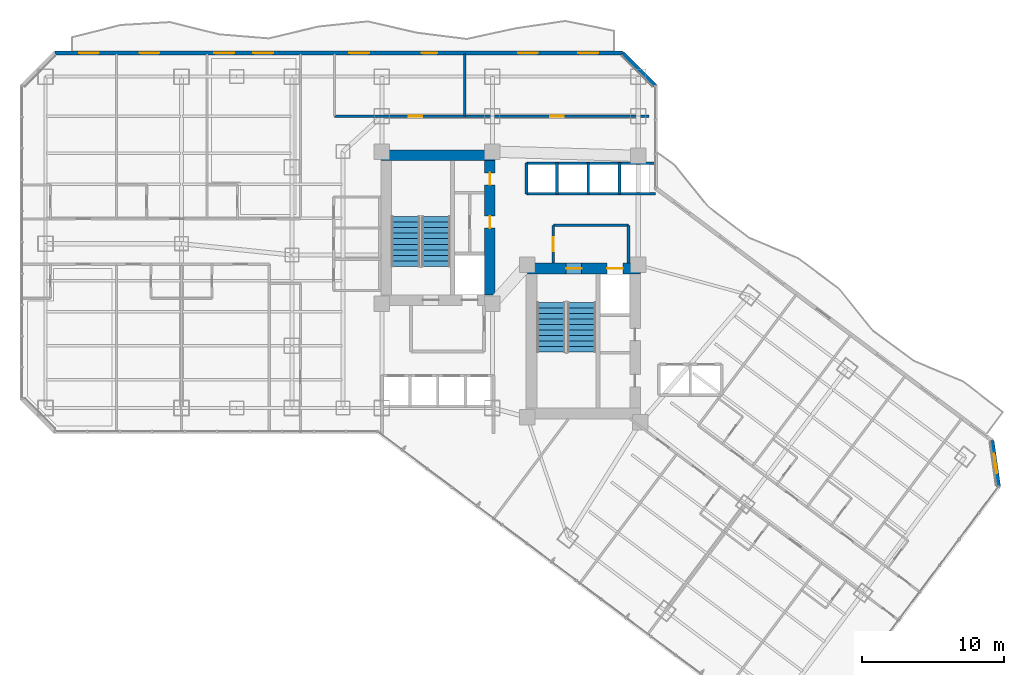
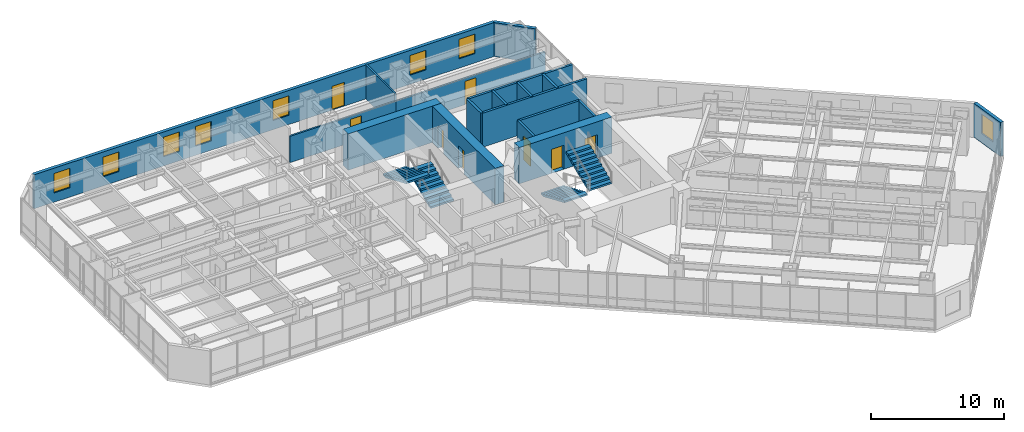
# One storey, part 32 of 38: 18 walls, 8 doors, 8 windows, 4 stair flights, 16 openings, 2 elements without a shape of their own.
"""IFC4 building model written with IfcOpenShell, lengths in metres."""

from ifc_helpers import new_model, si_unit, direction, frame, frame_2d, origin, place, context, subcontext, project, spatial, polyline, rectangle, outline, extrude, material, layer, layer_set, type_object, element, fill, aggregate, save


model = new_model("IFC4")

# Units and contexts
model_context = context("Model", 3, precision=1e-05, world=origin(), true_north=direction((0.0, 1.0)))
body_context = subcontext(model_context, "Body", "Model", "MODEL_VIEW")
ifc_project = project(units=[si_unit("LENGTHUNIT", "METRE"), si_unit("AREAUNIT", "SQUARE_METRE"), si_unit("VOLUMEUNIT", "CUBIC_METRE"), si_unit("PLANEANGLEUNIT", "RADIAN"), si_unit("MASSUNIT", "GRAM", prefix="KILO")], contexts=[model_context])

# Site, building, storey
site_placement = place(None, origin())
site = spatial("IfcSite", under=ifc_project, at=site_placement, CompositionType="ELEMENT")
building_placement = place(site_placement, origin())
building = spatial("IfcBuilding", under=site, at=building_placement, Name="Hatsunagi Terrace Concourse", CompositionType="ELEMENT")
storey_placement = place(building_placement, frame((0.0, 0.0, 63.39990234375)))
storey = spatial("IfcBuildingStorey", under=building, at=storey_placement, Name="L16", CompositionType="ELEMENT", Elevation=63.39990234375)

# Wall
ifc_material_1 = material(Name="Concrete Fc60", Category="concrete")
ifc_layer_1 = layer(ifc_material_1, 0.75)
ifc_layer_set_1 = layer_set([ifc_layer_1], Name="CoreShearWall_Fc60_750")
wall_type_1 = type_object("IfcWallType", Name="CoreShearWall_Fc60_750", PredefinedType="SHEAR", material=ifc_layer_set_1)
wall_1_placement = place(storey_placement, frame((25.469970703125, 43.044921875, 0.0), z_axis=(0.0, 0.0, 1.0), x_axis=(1.0, 0.0, 0.0)))
element("IfcWall", 1, at=wall_1_placement, inside=storey, type_object=wall_type_1, Name="Core A Shear Wall N L16", PredefinedType="SHEAR", context=body_context, shape_type="SweptSolid", body=[
    extrude(rectangle(XDim=8.080078125, YDim=0.75, at=frame_2d((4.0400390625, 0.0))), origin(), (0.0, 0.0, 1.0), 3.35009765625),
])

# Wall, openings, doors
wall_2_placement = place(storey_placement, frame((33.175048828125, 33.18994140625, 0.0), z_axis=(0.0, 0.0, 1.0), x_axis=(0.0, 1.0, 0.0)))
wall_2 = element("IfcWall", 2, at=wall_2_placement, inside=storey, type_object=wall_type_1, Name="Core A Shear Wall E L16", PredefinedType="SHEAR", context=body_context, shape_type="SweptSolid", body=[
    extrude(rectangle(XDim=9.47998046875, YDim=0.75, at=frame_2d((4.739990234375, 0.0))), origin(), (0.0, 0.0, 1.0), 3.35009765625),
])
opening_1_placement = place(wall_2_placement, frame((4.7099609375, 0.0, 0.0)))
opening_1 = element("IfcOpeningElement", 3, at=opening_1_placement, cuts=wall_2, Name="Opening DR-085", PredefinedType="OPENING", context=body_context, shape_type="SweptSolid", body=[
    extrude(rectangle(XDim=0.85009765625, YDim=2.080078125, at=frame_2d((0.425048828125, 1.0400390625))), frame((0.0, 0.385009765625, 0.0), z_axis=(0.0, -1.0, 0.0), x_axis=(1.0, 0.0, 0.0)), (0.0, 0.0, 1.0), 0.77001953125),
])
opening_2_placement = place(wall_2_placement, frame((7.760009765625, 0.0, 0.0)))
opening_2 = element("IfcOpeningElement", 4, at=opening_2_placement, cuts=wall_2, Name="Opening DR-085", PredefinedType="OPENING", context=body_context, shape_type="SweptSolid", body=[
    extrude(rectangle(XDim=0.85009765625, YDim=2.080078125, at=frame_2d((0.425048828125, 1.0400390625))), frame((0.0, 0.385009765625, 0.0), z_axis=(0.0, -1.0, 0.0), x_axis=(1.0, 0.0, 0.0)), (0.0, 0.0, 1.0), 0.77001953125),
])
ifc_material_2 = material(Name="Painted steel", Category="steel")
door_type_1 = type_object("IfcDoorType", Name="RiserAccessDoor_EI60_850", OperationType="NOTDEFINED", PredefinedType="DOOR", material=ifc_material_2)
door_1_placement = place(opening_1_placement, origin())
door_1 = element("IfcDoor", 5, at=door_1_placement, inside=storey, type_object=door_type_1, Name="Core A Riser Door L16-1", OperationType="SINGLE_SWING_LEFT", OverallHeight=2.080078125, OverallWidth=0.85009765625, PredefinedType="DOOR", context=body_context, shape_type="SweptSolid", body=[
    extrude(rectangle(XDim=0.85009765625, YDim=2.080078125, at=frame_2d((0.425048828125, 1.0400390625))), frame((0.0, 0.02490234375, 0.0), z_axis=(0.0, -1.0, 0.0), x_axis=(1.0, 0.0, 0.0)), (0.0, 0.0, 1.0), 0.050048828125),
])
fill(opening_1, door_1)
door_2_placement = place(opening_2_placement, origin())
door_2 = element("IfcDoor", 6, at=door_2_placement, inside=storey, type_object=door_type_1, Name="Core A Riser Door L16-2", OperationType="SINGLE_SWING_LEFT", OverallHeight=2.080078125, OverallWidth=0.85009765625, PredefinedType="DOOR", context=body_context, shape_type="SweptSolid", body=[
    extrude(rectangle(XDim=0.85009765625, YDim=2.080078125, at=frame_2d((0.425048828125, 1.0400390625))), frame((0.0, 0.02490234375, 0.0), z_axis=(0.0, -1.0, 0.0), x_axis=(1.0, 0.0, 0.0)), (0.0, 0.0, 1.0), 0.050048828125),
])
fill(opening_2, door_2)

wall_3_placement = place(storey_placement, frame((35.739990234375, 35.044921875, 0.0), z_axis=(0.0, 0.0, 1.0), x_axis=(1.0, 0.0, 0.0)))
wall_3 = element("IfcWall", 7, at=wall_3_placement, inside=storey, type_object=wall_type_1, Name="Core B Shear Wall N L16", PredefinedType="SHEAR", context=body_context, shape_type="SweptSolid", body=[
    extrude(rectangle(XDim=8.06005859375, YDim=0.75, at=frame_2d((4.030029296875, 0.0))), origin(), (0.0, 0.0, 1.0), 3.35009765625),
])
opening_3_placement = place(wall_3_placement, frame((2.81005859375, 0.0, 0.0)))
opening_3 = element("IfcOpeningElement", 8, at=opening_3_placement, cuts=wall_3, Name="Opening DR-110S", PredefinedType="OPENING", context=body_context, shape_type="SweptSolid", body=[
    extrude(rectangle(XDim=1.10009765625, YDim=2.199951171875, at=frame_2d((0.550048828125, 1.10009765625))), frame((0.0, 0.385009765625, 0.0), z_axis=(0.0, -1.0, 0.0), x_axis=(1.0, 0.0, 0.0)), (0.0, 0.0, 1.0), 0.77001953125),
])
opening_4_placement = place(wall_3_placement, frame((5.7099609375, 0.0, 0.0)))
opening_4 = element("IfcOpeningElement", 9, at=opening_4_placement, cuts=wall_3, Name="Opening LD-02", PredefinedType="OPENING", context=body_context, shape_type="SweptSolid", body=[
    extrude(rectangle(XDim=1.1201171875, YDim=2.14990234375, at=frame_2d((0.56005859375, 1.074951171875))), frame((0.0, 0.385009765625, 0.0), z_axis=(0.0, -1.0, 0.0), x_axis=(1.0, 0.0, 0.0)), (0.0, 0.0, 1.0), 0.77001953125),
])
ifc_material_3 = material(Name="Stainless steel", Category="steel")
door_type_2 = type_object("IfcDoorType", Name="LiftLandingDoor_LD02", OperationType="SLIDING_TO_RIGHT", PredefinedType="USERDEFINED", material=ifc_material_3)
door_3_placement = place(opening_4_placement, origin())
door_3 = element("IfcDoor", 10, at=door_3_placement, inside=storey, type_object=door_type_2, Name="Lift landing door FF-02 L16", ObjectType="SLIDING_LANDING_DOOR", OperationType="SLIDING_TO_RIGHT", OverallHeight=2.14990234375, OverallWidth=1.1201171875, PredefinedType="USERDEFINED", context=body_context, shape_type="SweptSolid", body=[
    extrude(rectangle(XDim=1.1201171875, YDim=2.14990234375, at=frame_2d((0.56005859375, 1.074951171875))), frame((0.0, 0.02490234375, 0.0), z_axis=(0.0, -1.0, 0.0), x_axis=(1.0, 0.0, 0.0)), (0.0, 0.0, 1.0), 0.050048828125),
])
fill(opening_4, door_3)
ifc_material_4 = material(Name="Painted steel", Category="steel")
door_type_3 = type_object("IfcDoorType", Name="StairFireDoor_EI60_1100", OperationType="NOTDEFINED", PredefinedType="DOOR", material=ifc_material_4)
door_4_placement = place(opening_3_placement, origin())
door_4 = element("IfcDoor", 11, at=door_4_placement, inside=storey, type_object=door_type_3, Name="Stair ST-B Exit Door L16", OperationType="SINGLE_SWING_RIGHT", OverallHeight=2.199951171875, OverallWidth=1.10009765625, PredefinedType="DOOR", context=body_context, shape_type="SweptSolid", body=[
    extrude(rectangle(XDim=1.10009765625, YDim=2.199951171875, at=frame_2d((0.550048828125, 1.10009765625))), frame((0.0, 0.02490234375, 0.0), z_axis=(0.0, -1.0, 0.0), x_axis=(1.0, 0.0, 0.0)), (0.0, 0.0, 1.0), 0.050048828125),
])
fill(opening_3, door_4)

# Wall, opening, door
ifc_material_5 = material(Name="Acoustic mineral board", Category="gypsum")
ifc_layer_2 = layer(ifc_material_5, 0.14990234375)
ifc_layer_set_2 = layer_set([ifc_layer_2], Name="PartitionWall_EI60_150")
wall_type_2 = type_object("IfcWallType", Name="PartitionWall_EI60_150", PredefinedType="PARTITIONING", material=ifc_layer_set_2)
wall_4_placement = place(storey_placement, frame((22.199951171875, 45.800048828125, 0.0), z_axis=(0.0, 0.0, 1.0), x_axis=(1.0, 0.0, 0.0)))
wall_4 = element("IfcWall", 12, at=wall_4_placement, inside=storey, type_object=wall_type_2, Name="Interior Partition IW-L16-038", PredefinedType="PARTITIONING", context=body_context, shape_type="SweptSolid", body=[
    extrude(rectangle(XDim=9.199951171875, YDim=0.14990234375, at=frame_2d((4.60009765625, 0.0))), origin(), (0.0, 0.0, 1.0), 2.425048828125),
])
opening_5_placement = place(wall_4_placement, frame((5.248046875, 0.0, 0.0)))
opening_5 = element("IfcOpeningElement", 13, at=opening_5_placement, cuts=wall_4, Name="Opening DR-095", PredefinedType="OPENING", context=body_context, shape_type="SweptSolid", body=[
    extrude(rectangle(XDim=0.949951171875, YDim=2.14990234375, at=frame_2d((0.47509765625, 1.074951171875))), frame((0.0, 0.0849609375, 0.0), z_axis=(0.0, -1.0, 0.0), x_axis=(1.0, 0.0, 0.0)), (0.0, 0.0, 1.0), 0.169921875),
])
ifc_material_6 = material(Name="Hardwood timber", Category="wood")
door_type_4 = type_object("IfcDoorType", Name="InteriorSuiteDoor_EI30_950", OperationType="NOTDEFINED", PredefinedType="DOOR", material=ifc_material_6)
door_5_placement = place(opening_5_placement, origin())
door_5 = element("IfcDoor", 14, at=door_5_placement, inside=storey, type_object=door_type_4, Name="Housekeeping Linen Room L16-HLIN Door", OperationType="SINGLE_SWING_LEFT", OverallHeight=2.14990234375, OverallWidth=0.949951171875, PredefinedType="DOOR", context=body_context, shape_type="SweptSolid", body=[
    extrude(rectangle(XDim=0.949951171875, YDim=2.14990234375, at=frame_2d((0.47509765625, 1.074951171875))), frame((0.0, 0.02490234375, 0.0), z_axis=(0.0, -1.0, 0.0), x_axis=(1.0, 0.0, 0.0)), (0.0, 0.0, 1.0), 0.050048828125),
])
fill(opening_5, door_5)

# Wall
wall_5_placement = place(storey_placement, frame((31.39990234375, 45.800048828125, 0.0), z_axis=(0.0, 0.0, 1.0), x_axis=(0.0, 1.0, 0.0)))
element("IfcWall", 15, at=wall_5_placement, inside=storey, type_object=wall_type_2, Name="Interior Partition IW-L16-040", PredefinedType="PARTITIONING", context=body_context, shape_type="SweptSolid", body=[
    extrude(rectangle(XDim=4.39990234375, YDim=0.14990234375, at=frame_2d((2.199951171875, 0.0))), origin(), (0.0, 0.0, 1.0), 3.130126953125),
])

# Wall, opening, door
wall_6_placement = place(storey_placement, frame((31.39990234375, 45.800048828125, 0.0), z_axis=(0.0, 0.0, 1.0), x_axis=(1.0, 0.0, 0.0)))
wall_6 = element("IfcWall", 16, at=wall_6_placement, inside=storey, type_object=wall_type_2, Name="Interior Partition IW-L16-041", PredefinedType="PARTITIONING", context=body_context, shape_type="SweptSolid", body=[
    extrude(rectangle(XDim=13.0, YDim=0.14990234375, at=frame_2d((6.5, 0.0))), origin(), (0.0, 0.0, 1.0), 2.425048828125),
])
opening_6_placement = place(wall_6_placement, frame((6.02490234375, 0.0, 0.0)))
opening_6 = element("IfcOpeningElement", 17, at=opening_6_placement, cuts=wall_6, Name="Opening DR-095", PredefinedType="OPENING", context=body_context, shape_type="SweptSolid", body=[
    extrude(rectangle(XDim=0.949951171875, YDim=2.14990234375, at=frame_2d((0.47509765625, 1.074951171875))), frame((0.0, 0.0849609375, 0.0), z_axis=(0.0, -1.0, 0.0), x_axis=(1.0, 0.0, 0.0)), (0.0, 0.0, 1.0), 0.169921875),
])
door_6_placement = place(opening_6_placement, origin())
door_6 = element("IfcDoor", 18, at=door_6_placement, inside=storey, type_object=door_type_4, Name="VIP Lounge L16-HLNG Door", OperationType="SINGLE_SWING_LEFT", OverallHeight=2.14990234375, OverallWidth=0.949951171875, PredefinedType="DOOR", context=body_context, shape_type="SweptSolid", body=[
    extrude(rectangle(XDim=0.949951171875, YDim=2.14990234375, at=frame_2d((0.47509765625, 1.074951171875))), frame((0.0, 0.02490234375, 0.0), z_axis=(0.0, -1.0, 0.0), x_axis=(1.0, 0.0, 0.0)), (0.0, 0.0, 1.0), 0.050048828125),
])
fill(opening_6, door_6)

# Walls
ifc_material_7 = material(Name="Acoustic mineral board", Category="gypsum")
ifc_layer_3 = layer(ifc_material_7, 0.199951171875)
ifc_layer_set_3 = layer_set([ifc_layer_3], Name="ShaftWall_EI120_200")
wall_type_3 = type_object("IfcWallType", Name="ShaftWall_EI120_200", PredefinedType="STANDARD", material=ifc_layer_set_3)
wall_7_placement = place(storey_placement, frame((37.64990234375, 38.10009765625, 0.0), z_axis=(0.0, 0.0, 1.0), x_axis=(1.0, 0.0, 0.0)))
element("IfcWall", 19, at=wall_7_placement, inside=storey, type_object=wall_type_3, Name="Interior Partition IW-L16-009", PredefinedType="STANDARD", context=body_context, shape_type="SweptSolid", body=[
    extrude(rectangle(XDim=5.300048828125, YDim=0.199951171875, at=frame_2d((2.64990234375, 0.0))), origin(), (0.0, 0.0, 1.0), 3.130126953125),
])
wall_8_placement = place(storey_placement, frame((42.949951171875, 35.419921875, 0.0), z_axis=(0.0, 0.0, 1.0), x_axis=(0.0, 1.0, 0.0)))
element("IfcWall", 20, at=wall_8_placement, inside=storey, type_object=wall_type_3, Name="Interior Partition IW-L16-010", PredefinedType="STANDARD", context=body_context, shape_type="SweptSolid", body=[
    extrude(rectangle(XDim=2.68017578125, YDim=0.199951171875, at=frame_2d((1.340087890625, 0.0))), origin(), (0.0, 0.0, 1.0), 3.130126953125),
])

# Wall, opening, door
wall_9_placement = place(storey_placement, frame((37.64990234375, 35.419921875, 0.0), z_axis=(0.0, 0.0, 1.0), x_axis=(0.0, 1.0, 0.0)))
wall_9 = element("IfcWall", 21, at=wall_9_placement, inside=storey, type_object=wall_type_3, Name="Interior Partition IW-L16-011", PredefinedType="STANDARD", context=body_context, shape_type="SweptSolid", body=[
    extrude(rectangle(XDim=2.68017578125, YDim=0.199951171875, at=frame_2d((1.340087890625, 0.0))), origin(), (0.0, 0.0, 1.0), 3.130126953125),
])
opening_7_placement = place(wall_9_placement, frame((0.840087890625, 0.0, 0.0)))
opening_7 = element("IfcOpeningElement", 22, at=opening_7_placement, cuts=wall_9, Name="Opening DR-100F", PredefinedType="OPENING", context=body_context, shape_type="SweptSolid", body=[
    extrude(rectangle(XDim=1.0, YDim=2.199951171875, at=frame_2d((0.5, 1.10009765625))), frame((0.0, 0.10986328125, 0.0), z_axis=(0.0, -1.0, 0.0), x_axis=(1.0, 0.0, 0.0)), (0.0, 0.0, 1.0), 0.219970703125),
])
ifc_material_8 = material(Name="Painted steel", Category="steel")
door_type_5 = type_object("IfcDoorType", Name="FireDoor_EI60_1000", OperationType="NOTDEFINED", PredefinedType="DOOR", material=ifc_material_8)
door_7_placement = place(opening_7_placement, origin())
door_7 = element("IfcDoor", 23, at=door_7_placement, inside=storey, type_object=door_type_5, Name="Firefighting Lobby B Door L16", OperationType="SINGLE_SWING_RIGHT", OverallHeight=2.199951171875, OverallWidth=1.0, PredefinedType="DOOR", context=body_context, shape_type="SweptSolid", body=[
    extrude(rectangle(XDim=1.0, YDim=2.199951171875, at=frame_2d((0.5, 1.10009765625))), frame((0.0, 0.02490234375, 0.0), z_axis=(0.0, -1.0, 0.0), x_axis=(1.0, 0.0, 0.0)), (0.0, 0.0, 1.0), 0.050048828125),
])
fill(opening_7, door_7)

# Walls
wall_10_placement = place(storey_placement, frame((35.75, 42.47998046875, 0.0), z_axis=(0.0, 0.0, 1.0), x_axis=(1.0, 0.0, 0.0)))
element("IfcWall", 24, at=wall_10_placement, inside=storey, type_object=wall_type_3, Name="Interior Partition IW-L16-019", PredefinedType="STANDARD", context=body_context, shape_type="SweptSolid", body=[
    extrude(rectangle(XDim=9.110107421875, YDim=0.199951171875, at=frame_2d((4.55517578125, 0.0))), origin(), (0.0, 0.0, 1.0), 3.130126953125),
])
for number, where, z_axis, x_axis, name in (
    (25, (35.75, 40.320068359375, 0.0), (0.0, 0.0, 1.0), (0.0, 1.0, 0.0), "Interior Partition IW-L16-020"),
    (26, (37.919921875, 40.320068359375, 0.0), (0.0, 0.0, 1.0), (0.0, 1.0, 0.0), "Interior Partition IW-L16-021"),
    (27, (40.1201171875, 40.320068359375, 0.0), (0.0, 0.0, 1.0), (0.0, 1.0, 0.0), "Interior Partition IW-L16-022"),
    (28, (42.320068359375, 40.320068359375, 0.0), (0.0, 0.0, 1.0), (0.0, 1.0, 0.0), "Interior Partition IW-L16-023"),
):
    element("IfcWall", number, at=place(storey_placement, frame(where, z_axis=z_axis, x_axis=x_axis)), inside=storey, type_object=wall_type_3, Name=name, PredefinedType="STANDARD", context=body_context, shape_type="SweptSolid", body=[
        extrude(rectangle(XDim=2.159912109375, YDim=0.199951171875, at=frame_2d((1.080078125, 0.0))), origin(), (0.0, 0.0, 1.0), 3.130126953125),
    ])
wall_11_placement = place(storey_placement, frame((35.75, 40.320068359375, 0.0), z_axis=(0.0, 0.0, 1.0), x_axis=(1.0, 0.0, 0.0)))
element("IfcWall", 29, at=wall_11_placement, inside=storey, type_object=wall_type_3, Name="Interior Partition IW-L16-024", PredefinedType="STANDARD", context=body_context, shape_type="SweptSolid", body=[
    extrude(rectangle(XDim=9.110107421875, YDim=0.199951171875, at=frame_2d((4.55517578125, 0.0))), origin(), (0.0, 0.0, 1.0), 3.130126953125),
])

# Wall, opening, window
ifc_material_9 = material(Name="Autoclaved Lightweight Concrete and Terracotta Cladding", Category="masonry")
ifc_layer_4 = layer(ifc_material_9, 0.280029296875)
ifc_layer_set_4 = layer_set([ifc_layer_4], Name="TerracottaSpandrelWall_280")
wall_type_4 = type_object("IfcWallType", Name="TerracottaSpandrelWall_280", PredefinedType="STANDARD", material=ifc_layer_set_4)
wall_12_placement = place(storey_placement, frame((68.6298828125, 22.903076171875, 0.0), z_axis=(0.0, 0.0, 1.0), x_axis=(0.141285803956, -0.989968848803, 0.0)))
wall_12 = element("IfcWall", 30, at=wall_12_placement, inside=storey, type_object=wall_type_4, Name="Exterior Spandrel Wall EW-L16-02", PredefinedType="STANDARD", context=body_context, shape_type="SweptSolid", body=[
    extrude(rectangle(XDim=3.278076171875, YDim=0.280029296875, at=frame_2d((1.63916015625, 0.0))), origin(), (0.0, 0.0, 1.0), 3.130126953125),
])
opening_8_placement = place(wall_12_placement, frame((0.93896484375, 0.0, 0.85009765625)))
opening_8 = element("IfcOpeningElement", 31, at=opening_8_placement, cuts=wall_12, Name="Opening WIN-02", PredefinedType="OPENING", context=body_context, shape_type="SweptSolid", body=[
    extrude(rectangle(XDim=1.39990234375, YDim=1.800048828125, at=frame_2d((0.699951171875, 0.89990234375))), frame((0.0, 0.14990234375, 0.0), z_axis=(0.0, -1.0, 0.0), x_axis=(1.0, 0.0, 0.0)), (0.0, 0.0, 1.0), 0.300048828125),
])
ifc_material_10 = material(Name="Thermally Broken Aluminium and Low-E Triple Glazing", Category="aluminium")
window_type = type_object("IfcWindowType", Name="HotelOperableVentWindow_1400x1800", PartitioningType="DOUBLE_PANEL_VERTICAL", PredefinedType="WINDOW", material=ifc_material_10)
window_1_placement = place(opening_8_placement, origin())
window_1 = element("IfcWindow", 32, at=window_1_placement, inside=storey, type_object=window_type, Name="Hotel Guestroom Window L16-02-1", OverallHeight=1.800048828125, OverallWidth=1.39990234375, PartitioningType="SINGLE_PANEL", PredefinedType="WINDOW", context=body_context, shape_type="SweptSolid", body=[
    extrude(rectangle(XDim=1.39990234375, YDim=1.800048828125, at=frame_2d((0.699951171875, 0.89990234375))), frame((0.0, 0.030029296875, 0.0), z_axis=(0.0, -1.0, 0.0), x_axis=(1.0, 0.0, 0.0)), (0.0, 0.0, 1.0), 0.06005859375),
])
fill(opening_8, window_1)

# Wall, openings, door, windows
wall_13_placement = place(storey_placement, frame((2.4580078125, 50.260009765625, 0.0), z_axis=(0.0, 0.0, 1.0), x_axis=(1.0, 0.0, 0.0)))
wall_13 = element("IfcWall", 33, at=wall_13_placement, inside=storey, type_object=wall_type_4, Name="Exterior Spandrel Wall EW-L16-11", PredefinedType="STANDARD", context=body_context, shape_type="SweptSolid", body=[
    extrude(rectangle(XDim=40.083984375, YDim=0.280029296875, at=frame_2d((20.0419921875, 0.0))), origin(), (0.0, 0.0, 1.0), 3.130126953125),
])
opening_9_placement = place(wall_13_placement, frame((25.905029296875, 0.0, 0.0)))
opening_9 = element("IfcOpeningElement", 34, at=opening_9_placement, cuts=wall_13, Name="Opening BD-01", PredefinedType="OPENING", context=body_context, shape_type="SweptSolid", body=[
    extrude(rectangle(XDim=1.10009765625, YDim=2.199951171875, at=frame_2d((0.550048828125, 1.10009765625))), frame((0.0, 0.14990234375, 0.0), z_axis=(0.0, -1.0, 0.0), x_axis=(1.0, 0.0, 0.0)), (0.0, 0.0, 1.0), 0.300048828125),
])
opening_10_placement = place(wall_13_placement, frame((1.717041015625, 0.0, 0.85009765625)))
opening_10 = element("IfcOpeningElement", 35, at=opening_10_placement, cuts=wall_13, Name="Opening WIN-02", PredefinedType="OPENING", context=body_context, shape_type="SweptSolid", body=[
    extrude(rectangle(XDim=1.39990234375, YDim=1.800048828125, at=frame_2d((0.699951171875, 0.89990234375))), frame((0.0, 0.14990234375, 0.0), z_axis=(0.0, -1.0, 0.0), x_axis=(1.0, 0.0, 0.0)), (0.0, 0.0, 1.0), 0.300048828125),
])
opening_11_placement = place(wall_13_placement, frame((5.98095703125, 0.0, 0.85009765625)))
opening_11 = element("IfcOpeningElement", 36, at=opening_11_placement, cuts=wall_13, Name="Opening WIN-02", PredefinedType="OPENING", context=body_context, shape_type="SweptSolid", body=[
    extrude(rectangle(XDim=1.39990234375, YDim=1.800048828125, at=frame_2d((0.699951171875, 0.89990234375))), frame((0.0, 0.14990234375, 0.0), z_axis=(0.0, -1.0, 0.0), x_axis=(1.0, 0.0, 0.0)), (0.0, 0.0, 1.0), 0.300048828125),
])
opening_12_placement = place(wall_13_placement, frame((11.260986328125, 0.0, 0.85009765625)))
opening_12 = element("IfcOpeningElement", 37, at=opening_12_placement, cuts=wall_13, Name="Opening WIN-02", PredefinedType="OPENING", context=body_context, shape_type="SweptSolid", body=[
    extrude(rectangle(XDim=1.39990234375, YDim=1.800048828125, at=frame_2d((0.699951171875, 0.89990234375))), frame((0.0, 0.14990234375, 0.0), z_axis=(0.0, -1.0, 0.0), x_axis=(1.0, 0.0, 0.0)), (0.0, 0.0, 1.0), 0.300048828125),
])
opening_13_placement = place(wall_13_placement, frame((14.02001953125, 0.0, 0.85009765625)))
opening_13 = element("IfcOpeningElement", 38, at=opening_13_placement, cuts=wall_13, Name="Opening WIN-02", PredefinedType="OPENING", context=body_context, shape_type="SweptSolid", body=[
    extrude(rectangle(XDim=1.39990234375, YDim=1.800048828125, at=frame_2d((0.699951171875, 0.89990234375))), frame((0.0, 0.14990234375, 0.0), z_axis=(0.0, -1.0, 0.0), x_axis=(1.0, 0.0, 0.0)), (0.0, 0.0, 1.0), 0.300048828125),
])
opening_14_placement = place(wall_13_placement, frame((20.7890625, 0.0, 0.85009765625)))
opening_14 = element("IfcOpeningElement", 39, at=opening_14_placement, cuts=wall_13, Name="Opening WIN-02", PredefinedType="OPENING", context=body_context, shape_type="SweptSolid", body=[
    extrude(rectangle(XDim=1.39990234375, YDim=1.800048828125, at=frame_2d((0.699951171875, 0.89990234375))), frame((0.0, 0.14990234375, 0.0), z_axis=(0.0, -1.0, 0.0), x_axis=(1.0, 0.0, 0.0)), (0.0, 0.0, 1.0), 0.300048828125),
])
opening_15_placement = place(wall_13_placement, frame((32.702880859375, 0.0, 0.85009765625)))
opening_15 = element("IfcOpeningElement", 40, at=opening_15_placement, cuts=wall_13, Name="Opening WIN-02", PredefinedType="OPENING", context=body_context, shape_type="SweptSolid", body=[
    extrude(rectangle(XDim=1.39990234375, YDim=1.800048828125, at=frame_2d((0.699951171875, 0.89990234375))), frame((0.0, 0.14990234375, 0.0), z_axis=(0.0, -1.0, 0.0), x_axis=(1.0, 0.0, 0.0)), (0.0, 0.0, 1.0), 0.300048828125),
])
opening_16_placement = place(wall_13_placement, frame((36.967041015625, 0.0, 0.85009765625)))
opening_16 = element("IfcOpeningElement", 41, at=opening_16_placement, cuts=wall_13, Name="Opening WIN-02", PredefinedType="OPENING", context=body_context, shape_type="SweptSolid", body=[
    extrude(rectangle(XDim=1.39990234375, YDim=1.800048828125, at=frame_2d((0.699951171875, 0.89990234375))), frame((0.0, 0.14990234375, 0.0), z_axis=(0.0, -1.0, 0.0), x_axis=(1.0, 0.0, 0.0)), (0.0, 0.0, 1.0), 0.300048828125),
])
ifc_material_11 = material(Name="Galvanised Steel and Laminated Safety Glass", Category="steel")
door_type_6 = type_object("IfcDoorType", Name="BalconyTerraceAccessDoor_1100x2200", OperationType="SINGLE_SWING_LEFT", PredefinedType="DOOR", material=ifc_material_11)
door_8_placement = place(opening_9_placement, origin())
door_8 = element("IfcDoor", 42, at=door_8_placement, inside=storey, type_object=door_type_6, Name="Engawa Balcony Door L16-BN", OperationType="SINGLE_SWING_RIGHT", OverallHeight=2.199951171875, OverallWidth=1.10009765625, PredefinedType="DOOR", context=body_context, shape_type="SweptSolid", body=[
    extrude(rectangle(XDim=1.10009765625, YDim=2.199951171875, at=frame_2d((0.550048828125, 1.10009765625))), frame((0.0, 0.02490234375, 0.0), z_axis=(0.0, -1.0, 0.0), x_axis=(1.0, 0.0, 0.0)), (0.0, 0.0, 1.0), 0.050048828125),
])
fill(opening_9, door_8)
window_2_placement = place(opening_10_placement, origin())
window_2 = element("IfcWindow", 43, at=window_2_placement, inside=storey, type_object=window_type, Name="Balcony Daylighting Window L16-11-1", OverallHeight=1.800048828125, OverallWidth=1.39990234375, PartitioningType="SINGLE_PANEL", PredefinedType="WINDOW", context=body_context, shape_type="SweptSolid", body=[
    extrude(rectangle(XDim=1.39990234375, YDim=1.800048828125, at=frame_2d((0.699951171875, 0.89990234375))), frame((0.0, 0.030029296875, 0.0), z_axis=(0.0, -1.0, 0.0), x_axis=(1.0, 0.0, 0.0)), (0.0, 0.0, 1.0), 0.06005859375),
])
fill(opening_10, window_2)
window_3_placement = place(opening_11_placement, origin())
window_3 = element("IfcWindow", 44, at=window_3_placement, inside=storey, type_object=window_type, Name="Balcony Daylighting Window L16-11-2", OverallHeight=1.800048828125, OverallWidth=1.39990234375, PartitioningType="SINGLE_PANEL", PredefinedType="WINDOW", context=body_context, shape_type="SweptSolid", body=[
    extrude(rectangle(XDim=1.39990234375, YDim=1.800048828125, at=frame_2d((0.699951171875, 0.89990234375))), frame((0.0, 0.030029296875, 0.0), z_axis=(0.0, -1.0, 0.0), x_axis=(1.0, 0.0, 0.0)), (0.0, 0.0, 1.0), 0.06005859375),
])
fill(opening_11, window_3)
window_4_placement = place(opening_12_placement, origin())
window_4 = element("IfcWindow", 45, at=window_4_placement, inside=storey, type_object=window_type, Name="Balcony Daylighting Window L16-11-3", OverallHeight=1.800048828125, OverallWidth=1.39990234375, PartitioningType="SINGLE_PANEL", PredefinedType="WINDOW", context=body_context, shape_type="SweptSolid", body=[
    extrude(rectangle(XDim=1.39990234375, YDim=1.800048828125, at=frame_2d((0.699951171875, 0.89990234375))), frame((0.0, 0.030029296875, 0.0), z_axis=(0.0, -1.0, 0.0), x_axis=(1.0, 0.0, 0.0)), (0.0, 0.0, 1.0), 0.06005859375),
])
fill(opening_12, window_4)
window_5_placement = place(opening_13_placement, origin())
window_5 = element("IfcWindow", 46, at=window_5_placement, inside=storey, type_object=window_type, Name="Balcony Daylighting Window L16-11-4", OverallHeight=1.800048828125, OverallWidth=1.39990234375, PartitioningType="SINGLE_PANEL", PredefinedType="WINDOW", context=body_context, shape_type="SweptSolid", body=[
    extrude(rectangle(XDim=1.39990234375, YDim=1.800048828125, at=frame_2d((0.699951171875, 0.89990234375))), frame((0.0, 0.030029296875, 0.0), z_axis=(0.0, -1.0, 0.0), x_axis=(1.0, 0.0, 0.0)), (0.0, 0.0, 1.0), 0.06005859375),
])
fill(opening_13, window_5)
window_6_placement = place(opening_14_placement, origin())
window_6 = element("IfcWindow", 47, at=window_6_placement, inside=storey, type_object=window_type, Name="Balcony Daylighting Window L16-11-5", OverallHeight=1.800048828125, OverallWidth=1.39990234375, PartitioningType="SINGLE_PANEL", PredefinedType="WINDOW", context=body_context, shape_type="SweptSolid", body=[
    extrude(rectangle(XDim=1.39990234375, YDim=1.800048828125, at=frame_2d((0.699951171875, 0.89990234375))), frame((0.0, 0.030029296875, 0.0), z_axis=(0.0, -1.0, 0.0), x_axis=(1.0, 0.0, 0.0)), (0.0, 0.0, 1.0), 0.06005859375),
])
fill(opening_14, window_6)
window_7_placement = place(opening_15_placement, origin())
window_7 = element("IfcWindow", 48, at=window_7_placement, inside=storey, type_object=window_type, Name="Balcony Daylighting Window L16-11-8", OverallHeight=1.800048828125, OverallWidth=1.39990234375, PartitioningType="SINGLE_PANEL", PredefinedType="WINDOW", context=body_context, shape_type="SweptSolid", body=[
    extrude(rectangle(XDim=1.39990234375, YDim=1.800048828125, at=frame_2d((0.699951171875, 0.89990234375))), frame((0.0, 0.030029296875, 0.0), z_axis=(0.0, -1.0, 0.0), x_axis=(1.0, 0.0, 0.0)), (0.0, 0.0, 1.0), 0.06005859375),
])
fill(opening_15, window_7)
window_8_placement = place(opening_16_placement, origin())
window_8 = element("IfcWindow", 49, at=window_8_placement, inside=storey, type_object=window_type, Name="Balcony Daylighting Window L16-11-9", OverallHeight=1.800048828125, OverallWidth=1.39990234375, PartitioningType="SINGLE_PANEL", PredefinedType="WINDOW", context=body_context, shape_type="SweptSolid", body=[
    extrude(rectangle(XDim=1.39990234375, YDim=1.800048828125, at=frame_2d((0.699951171875, 0.89990234375))), frame((0.0, 0.030029296875, 0.0), z_axis=(0.0, -1.0, 0.0), x_axis=(1.0, 0.0, 0.0)), (0.0, 0.0, 1.0), 0.06005859375),
])
fill(opening_16, window_8)

# Wall
wall_14_placement = place(storey_placement, frame((42.5419921875, 50.260009765625, 0.0), z_axis=(0.0, 0.0, 1.0), x_axis=(0.707106781187, -0.707106781187, 0.0)))
element("IfcWall", 50, at=wall_14_placement, inside=storey, type_object=wall_type_4, Name="Exterior Spandrel Wall EW-L16-12", PredefinedType="STANDARD", context=body_context, shape_type="SweptSolid", body=[
    extrude(rectangle(XDim=3.2783203125, YDim=0.280029296875, at=frame_2d((1.63916015625, 0.0))), origin(), (0.0, 0.0, 1.0), 3.130126953125),
])

# Stair, stair flights
ifc_material_12 = material(Name="Concrete Fc42", Category="concrete")
stair_type = type_object("IfcStairType", Name="DoglegExitStair_Tower2000_20R_168", PredefinedType="HALF_TURN_STAIR", material=ifc_material_12)
stair_1_placement = place(storey_placement, origin())
stair_1 = element("IfcStair", 51, at=stair_1_placement, inside=storey, type_object=stair_type, Name="L16 Core A Protected Exit Stair ST-A", PredefinedType="HALF_TURN_STAIR")
ifc_material_13 = material(Name="Concrete Fc42", Category="concrete")
stair_flight_type = type_object("IfcStairFlightType", Name="DoglegStairFlight_Tower2000_20R_168", PredefinedType="STRAIGHT", material=ifc_material_13)
stair_flight_1_placement = place(storey_placement, frame((29.3798828125, 35.199951171875, 0.0), z_axis=(0.0, 0.0, 1.0), x_axis=(0.0, 1.0, 0.0)))
stair_flight_1 = element("IfcStairFlight", 52, at=stair_flight_1_placement, type_object=stair_flight_type, Name="ST-A flight 1", NumberOfRisers=10, NumberOfTreads=9, PredefinedType="STRAIGHT", RiserHeight=0.1675, TreadLength=0.39, context=body_context, shape_type="SweptSolid", body=[
    extrude(outline(polyline([(0.0, 0.0), (0.0, 0.16748046875), (0.389892578125, 0.16748046875), (0.389892578125, 0.3349609375), (0.780029296875, 0.3349609375), (0.780029296875, 0.50244140625), (1.169921875, 0.50244140625), (1.169921875, 0.669921875), (1.56005859375, 0.669921875), (1.56005859375, 0.83740234375), (1.949951171875, 0.83740234375), (1.949951171875, 1.0048828125), (2.340087890625, 1.0048828125), (2.340087890625, 1.172607421875), (2.72998046875, 1.172607421875), (2.72998046875, 1.340087890625), (3.1201171875, 1.340087890625), (3.1201171875, 1.507568359375), (3.510009765625, 1.507568359375), (3.510009765625, 1.675048828125), (3.510009765625, 1.34423828125), (0.3798828125, 0.0), (0.0, 0.0)])), frame((0.0, 1.0, 0.0), z_axis=(0.0, -1.0, 0.0), x_axis=(1.0, 0.0, 0.0)), (0.0, 0.0, 1.0), 2.0),
])
stair_flight_2_placement = place(storey_placement, frame((27.22998046875, 38.7099609375, 1.675048828125), z_axis=(0.0, 0.0, 1.0), x_axis=(0.0, -1.0, 0.0)))
stair_flight_2 = element("IfcStairFlight", 53, at=stair_flight_2_placement, type_object=stair_flight_type, Name="ST-A flight 2", NumberOfRisers=10, NumberOfTreads=9, PredefinedType="STRAIGHT", RiserHeight=0.1675, TreadLength=0.39, context=body_context, shape_type="SweptSolid", body=[
    extrude(outline(polyline([(0.0, 0.0), (0.0, 0.16748046875), (0.389892578125, 0.16748046875), (0.389892578125, 0.3349609375), (0.780029296875, 0.3349609375), (0.780029296875, 0.50244140625), (1.169921875, 0.50244140625), (1.169921875, 0.669921875), (1.56005859375, 0.669921875), (1.56005859375, 0.83740234375), (1.949951171875, 0.83740234375), (1.949951171875, 1.0048828125), (2.340087890625, 1.0048828125), (2.340087890625, 1.172607421875), (2.72998046875, 1.172607421875), (2.72998046875, 1.340087890625), (3.1201171875, 1.340087890625), (3.1201171875, 1.507568359375), (3.510009765625, 1.507568359375), (3.510009765625, 1.675048828125), (3.510009765625, 1.34423828125), (0.3798828125, 0.0), (0.0, 0.0)])), frame((0.0, 1.0, 0.0), z_axis=(0.0, -1.0, 0.0), x_axis=(1.0, 0.0, 0.0)), (0.0, 0.0, 1.0), 2.0),
])
aggregate(stair_1, [stair_flight_1, stair_flight_2])

stair_2_placement = place(storey_placement, origin())
stair_2 = element("IfcStair", 54, at=stair_2_placement, inside=storey, type_object=stair_type, Name="L16 Core B Protected Exit Stair ST-B", PredefinedType="HALF_TURN_STAIR")
stair_flight_3_placement = place(storey_placement, frame((37.5, 32.659912109375, 0.0), z_axis=(0.0, 0.0, 1.0), x_axis=(0.0, -1.0, 0.0)))
stair_flight_3 = element("IfcStairFlight", 55, at=stair_flight_3_placement, type_object=stair_flight_type, Name="ST-B flight 1", NumberOfRisers=10, NumberOfTreads=9, PredefinedType="STRAIGHT", RiserHeight=0.1675, TreadLength=0.39, context=body_context, shape_type="SweptSolid", body=[
    extrude(outline(polyline([(0.0, 0.0), (0.0, 0.16748046875), (0.389892578125, 0.16748046875), (0.389892578125, 0.3349609375), (0.780029296875, 0.3349609375), (0.780029296875, 0.50244140625), (1.169921875, 0.50244140625), (1.169921875, 0.669921875), (1.56005859375, 0.669921875), (1.56005859375, 0.83740234375), (1.949951171875, 0.83740234375), (1.949951171875, 1.0048828125), (2.340087890625, 1.0048828125), (2.340087890625, 1.172607421875), (2.72998046875, 1.172607421875), (2.72998046875, 1.340087890625), (3.1201171875, 1.340087890625), (3.1201171875, 1.507568359375), (3.510009765625, 1.507568359375), (3.510009765625, 1.675048828125), (3.510009765625, 1.34423828125), (0.3798828125, 0.0), (0.0, 0.0)])), frame((0.0, 1.0, 0.0), z_axis=(0.0, -1.0, 0.0), x_axis=(1.0, 0.0, 0.0)), (0.0, 0.0, 1.0), 2.0),
])
stair_flight_4_placement = place(storey_placement, frame((39.64990234375, 29.14990234375, 1.675048828125), z_axis=(0.0, 0.0, 1.0), x_axis=(0.0, 1.0, 0.0)))
stair_flight_4 = element("IfcStairFlight", 56, at=stair_flight_4_placement, type_object=stair_flight_type, Name="ST-B flight 2", NumberOfRisers=10, NumberOfTreads=9, PredefinedType="STRAIGHT", RiserHeight=0.1675, TreadLength=0.39, context=body_context, shape_type="SweptSolid", body=[
    extrude(outline(polyline([(0.0, 0.0), (0.0, 0.16748046875), (0.389892578125, 0.16748046875), (0.389892578125, 0.3349609375), (0.780029296875, 0.3349609375), (0.780029296875, 0.50244140625), (1.169921875, 0.50244140625), (1.169921875, 0.669921875), (1.56005859375, 0.669921875), (1.56005859375, 0.83740234375), (1.949951171875, 0.83740234375), (1.949951171875, 1.0048828125), (2.340087890625, 1.0048828125), (2.340087890625, 1.172607421875), (2.72998046875, 1.172607421875), (2.72998046875, 1.340087890625), (3.1201171875, 1.340087890625), (3.1201171875, 1.507568359375), (3.510009765625, 1.507568359375), (3.510009765625, 1.675048828125), (3.510009765625, 1.34423828125), (0.3798828125, 0.0), (0.0, 0.0)])), frame((0.0, 1.0, 0.0), z_axis=(0.0, -1.0, 0.0), x_axis=(1.0, 0.0, 0.0)), (0.0, 0.0, 1.0), 2.0),
])
aggregate(stair_2, [stair_flight_3, stair_flight_4])

save(model, "model.ifc")
